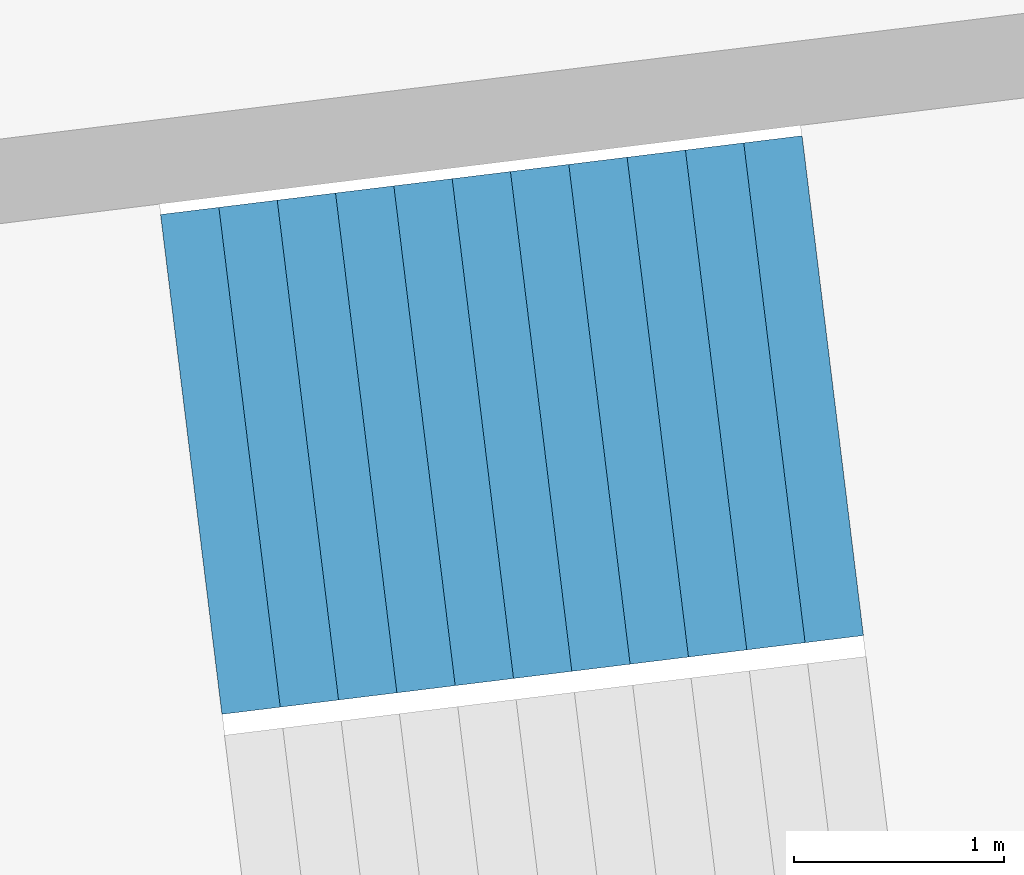
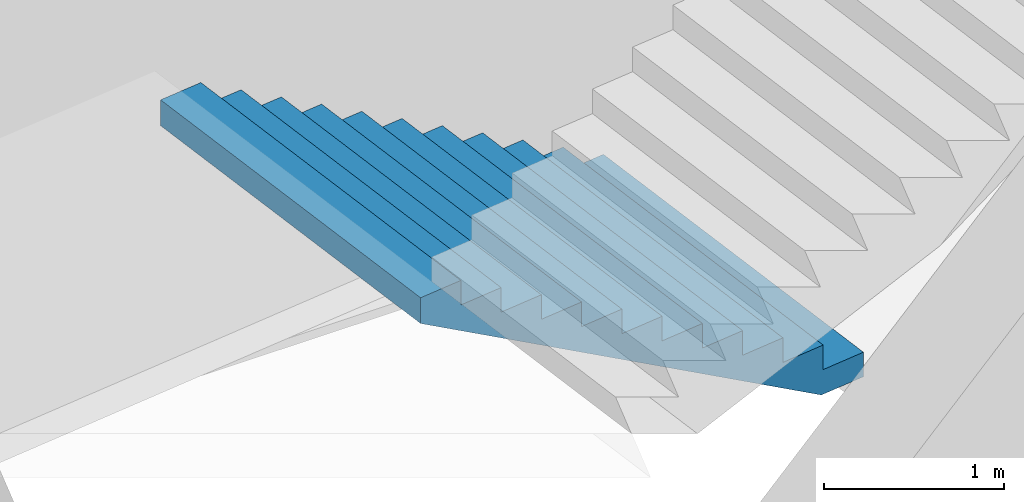
# One storey, part 24 of 74: 1 stair flight, 1 element without a shape of its own.
"""IFC4 building model written with IfcOpenShell, lengths in metres."""

from ifc_helpers import new_model, si_unit, direction, frame, origin, place, context, subcontext, project, spatial, triangles, material, type_object, element, aggregate, save


model = new_model("IFC4")

# Units and contexts
model_context = context("Model", 3, precision=1e-05, world=origin(), true_north=direction((0.0, 1.0)))
body_context = subcontext(model_context, "Body", "Model", "MODEL_VIEW")
ifc_project = project(units=[si_unit("LENGTHUNIT", "METRE"), si_unit("AREAUNIT", "SQUARE_METRE"), si_unit("VOLUMEUNIT", "CUBIC_METRE"), si_unit("PLANEANGLEUNIT", "RADIAN"), si_unit("MASSUNIT", "GRAM", prefix="KILO")], contexts=[model_context])

# Site, building, storey
site_placement = place(None, origin())
site = spatial("IfcSite", under=ifc_project, at=site_placement, CompositionType="ELEMENT")
building_placement = place(site_placement, origin())
building = spatial("IfcBuilding", under=site, at=building_placement, Name="Lantaw Convention Tower", CompositionType="ELEMENT")
storey_placement = place(building_placement, frame((0.0, 0.0, 6.5)))
storey = spatial("IfcBuildingStorey", under=building, at=storey_placement, Name="L01", CompositionType="ELEMENT", Elevation=6.5)

# Stair, stair flight
ifc_material = material(Name="Concrete C35/45", Category="concrete")
stair_type = type_object("IfcStairType", Name="Exit stair 2400 riser 166.67 in 4 flights", PredefinedType="HALF_TURN_STAIR", material=ifc_material)
stair_placement = place(storey_placement, origin())
stair = element("IfcStair", 1, at=stair_placement, inside=storey, type_object=stair_type, Name="Podium exit stair P10 L01", PredefinedType="HALF_TURN_STAIR")
stair_flight_type = type_object("IfcStairFlightType", Name="Stair flight 2400 riser 166.67", PredefinedType="STRAIGHT", material=ifc_material)
stair_flight_placement = place(storey_placement, frame((-35.162109375, -3.057861328125, 0.0), z_axis=(0.0, 0.0, 1.0), x_axis=(-0.992546151641, -0.121869343405, 0.0)))
stair_flight = element("IfcStairFlight", 2, at=stair_flight_placement, type_object=stair_flight_type, Name="P10 flight 1", NumberOfRisers=12, NumberOfTreads=11, PredefinedType="STRAIGHT", RiserHeight=0.166666667, TreadLength=0.28, context=body_context, shape_type="Tessellation", body=[
    triangles([(0.0, 1.199951171875, 0.0), (0.0, 1.199951171875, 0.166666667), (0.28, 1.199951171875, 0.0), (0.28, 1.199951171875, 0.166666667), (0.28, 1.199951171875, 0.333333334), (0.29307345806906726, 1.199951171875, 0.0), (0.29307345806906726, 1.199951171875, 0.333333334), (0.56, 1.199951171875, 0.15888484670522965), (0.56, 1.199951171875, 0.333333334), (0.56, 1.199951171875, 0.500000001), (0.8400000000000001, 1.199951171875, 0.3255515137052296), (0.8400000000000001, 1.199951171875, 0.500000001), (0.8400000000000001, 1.199951171875, 0.666666668), (1.12, 1.199951171875, 0.4922181807052296), (1.12, 1.199951171875, 0.666666668), (1.12, 1.199951171875, 0.833333335), (1.4000000000000001, 1.199951171875, 0.6588848477052296), (1.4000000000000001, 1.199951171875, 0.833333335), (1.4000000000000001, 1.199951171875, 1.000000002), (1.6800000000000002, 1.199951171875, 0.8255515147052296), (1.6800000000000002, 1.199951171875, 1.000000002), (1.6800000000000002, 1.199951171875, 1.166666669), (1.9600000000000002, 1.199951171875, 0.9922181817052296), (1.9600000000000002, 1.199951171875, 1.166666669), (1.9600000000000002, 1.199951171875, 1.333333336), (2.24, 1.199951171875, 1.1588848487052295), (2.24, 1.199951171875, 1.333333336), (2.24, 1.199951171875, 1.5000000029999998), (2.5200000000000005, 1.199951171875, 1.3255515157052296), (2.5200000000000005, 1.199951171875, 1.5000000029999998), (2.5200000000000005, 1.199951171875, 1.66666667), (2.8000000000000003, 1.199951171875, 1.4922181827052294), (2.8000000000000003, 1.199951171875, 1.66666667), (2.8000000000000003, 1.199951171875, 1.833333337), (3.08, 1.199951171875, 1.6588848497052293), (3.08, 1.199951171875, 1.833333337), (0.0, -1.199951171875, 0.0), (0.0, -1.199951171875, 0.166666667), (0.28, -1.199951171875, 0.0), (0.28, -1.199951171875, 0.166666667), (0.28, -1.199951171875, 0.333333334), (0.29307345806906726, -1.199951171875, 0.0), (0.29307345806906726, -1.199951171875, 0.333333334), (0.56, -1.199951171875, 0.15888484670522965), (0.56, -1.199951171875, 0.333333334), (0.56, -1.199951171875, 0.500000001), (0.8400000000000001, -1.199951171875, 0.3255515137052296), (0.8400000000000001, -1.199951171875, 0.500000001), (0.8400000000000001, -1.199951171875, 0.666666668), (1.12, -1.199951171875, 0.4922181807052296), (1.12, -1.199951171875, 0.666666668), (1.12, -1.199951171875, 0.833333335), (1.4000000000000001, -1.199951171875, 0.6588848477052296), (1.4000000000000001, -1.199951171875, 0.833333335), (1.4000000000000001, -1.199951171875, 1.000000002), (1.6800000000000002, -1.199951171875, 0.8255515147052296), (1.6800000000000002, -1.199951171875, 1.000000002), (1.6800000000000002, -1.199951171875, 1.166666669), (1.9600000000000002, -1.199951171875, 0.9922181817052296), (1.9600000000000002, -1.199951171875, 1.166666669), (1.9600000000000002, -1.199951171875, 1.333333336), (2.24, -1.199951171875, 1.1588848487052295), (2.24, -1.199951171875, 1.333333336), (2.24, -1.199951171875, 1.5000000029999998), (2.5200000000000005, -1.199951171875, 1.3255515157052296), (2.5200000000000005, -1.199951171875, 1.5000000029999998), (2.5200000000000005, -1.199951171875, 1.66666667), (2.8000000000000003, -1.199951171875, 1.4922181827052294), (2.8000000000000003, -1.199951171875, 1.66666667), (2.8000000000000003, -1.199951171875, 1.833333337), (3.08, -1.199951171875, 1.6588848497052293), (3.08, -1.199951171875, 1.833333337), (0.0, 0.239990234375, 0.166666667), (0.0, 0.239990234375, 0.0), (0.0, 0.1199951171875, 0.166666667), (0.0, 0.1199951171875, 0.0), (0.0, 0.0, 0.166666667), (0.0, 0.0, 0.0), (0.0, -0.1199951171875, 0.166666667), (0.0, -0.1199951171875, 0.0), (0.0, -0.239990234375, 0.166666667), (0.0, -0.239990234375, 0.0), (0.28, 0.239990234375, 0.333333334), (0.28, 0.239990234375, 0.166666667), (0.28, 0.1199951171875, 0.333333334), (0.28, 0.1199951171875, 0.166666667), (0.28, 0.0, 0.333333334), (0.28, 0.0, 0.166666667), (0.28, -0.1199951171875, 0.333333334), (0.28, -0.1199951171875, 0.166666667), (0.28, -0.239990234375, 0.333333334), (0.28, -0.239990234375, 0.166666667), (0.56, 0.239990234375, 0.500000001), (0.56, 0.239990234375, 0.333333334), (0.56, 0.1199951171875, 0.500000001), (0.56, 0.1199951171875, 0.333333334), (0.56, 0.0, 0.500000001), (0.56, 0.0, 0.333333334), (0.56, -0.1199951171875, 0.500000001), (0.56, -0.1199951171875, 0.333333334), (0.56, -0.239990234375, 0.500000001), (0.56, -0.239990234375, 0.333333334), (0.8400000000000001, 0.239990234375, 0.666666668), (0.8400000000000001, 0.239990234375, 0.500000001), (0.8400000000000001, 0.1199951171875, 0.666666668), (0.8400000000000001, 0.1199951171875, 0.500000001), (0.8400000000000001, 0.0, 0.666666668), (0.8400000000000001, 0.0, 0.500000001), (0.8400000000000001, -0.1199951171875, 0.666666668), (0.8400000000000001, -0.1199951171875, 0.500000001), (0.8400000000000001, -0.239990234375, 0.666666668), (0.8400000000000001, -0.239990234375, 0.500000001), (1.12, 0.239990234375, 0.833333335), (1.12, 0.239990234375, 0.666666668), (1.12, 0.1199951171875, 0.833333335), (1.12, 0.1199951171875, 0.666666668), (1.12, 0.0, 0.833333335), (1.12, 0.0, 0.666666668), (1.12, -0.1199951171875, 0.833333335), (1.12, -0.1199951171875, 0.666666668), (1.12, -0.239990234375, 0.833333335), (1.12, -0.239990234375, 0.666666668), (1.4000000000000001, 0.239990234375, 1.000000002), (1.4000000000000001, 0.239990234375, 0.833333335), (1.4000000000000001, 0.1199951171875, 1.000000002), (1.4000000000000001, 0.1199951171875, 0.833333335), (1.4000000000000001, 0.0, 1.000000002), (1.4000000000000001, 0.0, 0.833333335), (1.4000000000000001, -0.1199951171875, 1.000000002), (1.4000000000000001, -0.1199951171875, 0.833333335), (1.4000000000000001, -0.239990234375, 1.000000002), (1.4000000000000001, -0.239990234375, 0.833333335), (1.6800000000000002, 0.239990234375, 1.166666669), (1.6800000000000002, 0.239990234375, 1.000000002), (1.6800000000000002, 0.1199951171875, 1.166666669), (1.6800000000000002, 0.1199951171875, 1.000000002), (1.6800000000000002, 0.0, 1.166666669), (1.6800000000000002, 0.0, 1.000000002), (1.6800000000000002, -0.1199951171875, 1.166666669), (1.6800000000000002, -0.1199951171875, 1.000000002), (1.6800000000000002, -0.239990234375, 1.166666669), (1.6800000000000002, -0.239990234375, 1.000000002), (1.9600000000000002, 0.239990234375, 1.333333336), (1.9600000000000002, 0.239990234375, 1.166666669), (1.9600000000000002, 0.1199951171875, 1.333333336), (1.9600000000000002, 0.1199951171875, 1.166666669), (1.9600000000000002, 0.0, 1.333333336), (1.9600000000000002, 0.0, 1.166666669), (1.9600000000000002, -0.1199951171875, 1.333333336), (1.9600000000000002, -0.1199951171875, 1.166666669), (1.9600000000000002, -0.239990234375, 1.333333336), (1.9600000000000002, -0.239990234375, 1.166666669), (2.24, 0.239990234375, 1.5000000029999998), (2.24, 0.239990234375, 1.333333336), (2.24, 0.1199951171875, 1.5000000029999998), (2.24, 0.1199951171875, 1.333333336), (2.24, 0.0, 1.5000000029999998), (2.24, 0.0, 1.333333336), (2.24, -0.1199951171875, 1.5000000029999998), (2.24, -0.1199951171875, 1.333333336), (2.24, -0.239990234375, 1.5000000029999998), (2.24, -0.239990234375, 1.333333336), (2.5200000000000005, 0.239990234375, 1.66666667), (2.5200000000000005, 0.239990234375, 1.5000000029999998), (2.5200000000000005, 0.1199951171875, 1.66666667), (2.5200000000000005, 0.1199951171875, 1.5000000029999998), (2.5200000000000005, 0.0, 1.66666667), (2.5200000000000005, 0.0, 1.5000000029999998), (2.5200000000000005, -0.1199951171875, 1.66666667), (2.5200000000000005, -0.1199951171875, 1.5000000029999998), (2.5200000000000005, -0.239990234375, 1.66666667), (2.5200000000000005, -0.239990234375, 1.5000000029999998), (2.8000000000000003, 0.239990234375, 1.833333337), (2.8000000000000003, 0.239990234375, 1.66666667), (2.8000000000000003, 0.1199951171875, 1.833333337), (2.8000000000000003, 0.1199951171875, 1.66666667), (2.8000000000000003, 0.0, 1.833333337), (2.8000000000000003, 0.0, 1.66666667), (2.8000000000000003, -0.1199951171875, 1.833333337), (2.8000000000000003, -0.1199951171875, 1.66666667), (2.8000000000000003, -0.239990234375, 1.833333337), (2.8000000000000003, -0.239990234375, 1.66666667), (0.29307345806906726, 0.239990234375, 0.333333334), (0.29307345806906726, 0.1199951171875, 0.333333334), (0.29307345806906726, 0.0, 0.333333334), (0.29307345806906726, -0.1199951171875, 0.333333334), (0.29307345806906726, -0.239990234375, 0.333333334), (3.08, 0.239990234375, 1.833333337), (3.08, 0.1199951171875, 1.833333337), (3.08, 0.0, 1.833333337), (3.08, -0.1199951171875, 1.833333337), (3.08, -0.239990234375, 1.833333337), (3.08, 0.239990234375, 1.6588848497052293), (3.08, 0.1199951171875, 1.6588848497052293), (3.08, 0.0, 1.6588848497052293), (3.08, -0.1199951171875, 1.6588848497052293), (3.08, -0.239990234375, 1.6588848497052293), (2.8000000000000003, 0.239990234375, 1.4922181827052294), (2.8000000000000003, 0.1199951171875, 1.4922181827052294), (2.8000000000000003, 0.0, 1.4922181827052294), (2.8000000000000003, -0.1199951171875, 1.4922181827052294), (2.8000000000000003, -0.239990234375, 1.4922181827052294), (2.5200000000000005, 0.239990234375, 1.3255515157052296), (2.5200000000000005, 0.1199951171875, 1.3255515157052296), (2.5200000000000005, 0.0, 1.3255515157052296), (2.5200000000000005, -0.1199951171875, 1.3255515157052296), (2.5200000000000005, -0.239990234375, 1.3255515157052296), (2.24, 0.239990234375, 1.1588848487052295), (2.24, 0.1199951171875, 1.1588848487052295), (2.24, 0.0, 1.1588848487052295), (2.24, -0.1199951171875, 1.1588848487052295), (2.24, -0.239990234375, 1.1588848487052295), (1.9600000000000002, 0.239990234375, 0.9922181817052296), (1.9600000000000002, 0.1199951171875, 0.9922181817052296), (1.9600000000000002, 0.0, 0.9922181817052296), (1.9600000000000002, -0.1199951171875, 0.9922181817052296), (1.9600000000000002, -0.239990234375, 0.9922181817052296), (1.6800000000000002, 0.239990234375, 0.8255515147052296), (1.6800000000000002, 0.1199951171875, 0.8255515147052296), (1.6800000000000002, 0.0, 0.8255515147052296), (1.6800000000000002, -0.1199951171875, 0.8255515147052296), (1.6800000000000002, -0.239990234375, 0.8255515147052296), (1.4000000000000001, 0.239990234375, 0.6588848477052296), (1.4000000000000001, 0.1199951171875, 0.6588848477052296), (1.4000000000000001, 0.0, 0.6588848477052296), (1.4000000000000001, -0.1199951171875, 0.6588848477052296), (1.4000000000000001, -0.239990234375, 0.6588848477052296), (1.12, 0.239990234375, 0.4922181807052296), (1.12, 0.1199951171875, 0.4922181807052296), (1.12, 0.0, 0.4922181807052296), (1.12, -0.1199951171875, 0.4922181807052296), (1.12, -0.239990234375, 0.4922181807052296), (0.8400000000000001, 0.239990234375, 0.3255515137052296), (0.8400000000000001, 0.1199951171875, 0.3255515137052296), (0.8400000000000001, 0.0, 0.3255515137052296), (0.8400000000000001, -0.1199951171875, 0.3255515137052296), (0.8400000000000001, -0.239990234375, 0.3255515137052296), (0.56, 0.239990234375, 0.15888484670522965), (0.56, 0.1199951171875, 0.15888484670522965), (0.56, 0.0, 0.15888484670522965), (0.56, -0.1199951171875, 0.15888484670522965), (0.56, -0.239990234375, 0.15888484670522965), (0.29307345806906726, 0.239990234375, 0.0), (0.29307345806906726, 0.1199951171875, 0.0), (0.29307345806906726, 0.0, 0.0), (0.29307345806906726, -0.1199951171875, 0.0), (0.29307345806906726, -0.239990234375, 0.0), (0.28, 0.239990234375, 0.0), (0.28, 0.1199951171875, 0.0), (0.28, 0.0, 0.0), (0.28, -0.1199951171875, 0.0), (0.28, -0.239990234375, 0.0)], [[1, 4, 3], [1, 2, 4], [3, 4, 6], [4, 7, 6], [4, 5, 7], [6, 9, 8], [6, 7, 9], [8, 9, 11], [9, 12, 11], [9, 10, 12], [11, 12, 14], [12, 15, 14], [12, 13, 15], [14, 15, 17], [15, 18, 17], [15, 16, 18], [17, 18, 20], [18, 21, 20], [18, 19, 21], [20, 21, 23], [21, 24, 23], [21, 22, 24], [23, 24, 26], [24, 27, 26], [24, 25, 27], [26, 27, 29], [27, 30, 29], [27, 28, 30], [29, 30, 32], [30, 33, 32], [30, 31, 33], [32, 33, 35], [33, 36, 35], [33, 34, 36], [37, 39, 40], [37, 40, 38], [39, 42, 40], [40, 42, 43], [40, 43, 41], [42, 44, 45], [42, 45, 43], [44, 47, 45], [45, 47, 48], [45, 48, 46], [47, 50, 48], [48, 50, 51], [48, 51, 49], [50, 53, 51], [51, 53, 54], [51, 54, 52], [53, 56, 54], [54, 56, 57], [54, 57, 55], [56, 59, 57], [57, 59, 60], [57, 60, 58], [59, 62, 60], [60, 62, 63], [60, 63, 61], [62, 65, 63], [63, 65, 66], [63, 66, 64], [65, 68, 66], [66, 68, 69], [66, 69, 67], [68, 71, 69], [69, 71, 72], [69, 72, 70], [1, 73, 2], [1, 74, 73], [74, 75, 73], [74, 76, 75], [76, 77, 75], [76, 78, 77], [78, 79, 77], [78, 80, 79], [80, 81, 79], [80, 82, 81], [82, 38, 81], [82, 37, 38], [4, 83, 5], [4, 84, 83], [84, 85, 83], [84, 86, 85], [86, 87, 85], [86, 88, 87], [88, 89, 87], [88, 90, 89], [90, 91, 89], [90, 92, 91], [92, 41, 91], [92, 40, 41], [9, 93, 10], [9, 94, 93], [94, 95, 93], [94, 96, 95], [96, 97, 95], [96, 98, 97], [98, 99, 97], [98, 100, 99], [100, 101, 99], [100, 102, 101], [102, 46, 101], [102, 45, 46], [12, 103, 13], [12, 104, 103], [104, 105, 103], [104, 106, 105], [106, 107, 105], [106, 108, 107], [108, 109, 107], [108, 110, 109], [110, 111, 109], [110, 112, 111], [112, 49, 111], [112, 48, 49], [15, 113, 16], [15, 114, 113], [114, 115, 113], [114, 116, 115], [116, 117, 115], [116, 118, 117], [118, 119, 117], [118, 120, 119], [120, 121, 119], [120, 122, 121], [122, 52, 121], [122, 51, 52], [18, 123, 19], [18, 124, 123], [124, 125, 123], [124, 126, 125], [126, 127, 125], [126, 128, 127], [128, 129, 127], [128, 130, 129], [130, 131, 129], [130, 132, 131], [132, 55, 131], [132, 54, 55], [21, 133, 22], [21, 134, 133], [134, 135, 133], [134, 136, 135], [136, 137, 135], [136, 138, 137], [138, 139, 137], [138, 140, 139], [140, 141, 139], [140, 142, 141], [142, 58, 141], [142, 57, 58], [24, 143, 25], [24, 144, 143], [144, 145, 143], [144, 146, 145], [146, 147, 145], [146, 148, 147], [148, 149, 147], [148, 150, 149], [150, 151, 149], [150, 152, 151], [152, 61, 151], [152, 60, 61], [27, 153, 28], [27, 154, 153], [154, 155, 153], [154, 156, 155], [156, 157, 155], [156, 158, 157], [158, 159, 157], [158, 160, 159], [160, 161, 159], [160, 162, 161], [162, 64, 161], [162, 63, 64], [30, 163, 31], [30, 164, 163], [164, 165, 163], [164, 166, 165], [166, 167, 165], [166, 168, 167], [168, 169, 167], [168, 170, 169], [170, 171, 169], [170, 172, 171], [172, 67, 171], [172, 66, 67], [33, 173, 34], [33, 174, 173], [174, 175, 173], [174, 176, 175], [176, 177, 175], [176, 178, 177], [178, 179, 177], [178, 180, 179], [180, 181, 179], [180, 182, 181], [182, 70, 181], [182, 69, 70], [2, 84, 4], [2, 73, 84], [73, 86, 84], [73, 75, 86], [75, 88, 86], [75, 77, 88], [77, 90, 88], [77, 79, 90], [79, 92, 90], [79, 81, 92], [81, 40, 92], [81, 38, 40], [5, 183, 7], [5, 83, 183], [83, 184, 183], [83, 85, 184], [85, 185, 184], [85, 87, 185], [87, 186, 185], [87, 89, 186], [89, 187, 186], [89, 91, 187], [91, 43, 187], [91, 41, 43], [7, 94, 9], [7, 183, 94], [183, 96, 94], [183, 184, 96], [184, 98, 96], [184, 185, 98], [185, 100, 98], [185, 186, 100], [186, 102, 100], [186, 187, 102], [187, 45, 102], [187, 43, 45], [10, 104, 12], [10, 93, 104], [93, 106, 104], [93, 95, 106], [95, 108, 106], [95, 97, 108], [97, 110, 108], [97, 99, 110], [99, 112, 110], [99, 101, 112], [101, 48, 112], [101, 46, 48], [13, 114, 15], [13, 103, 114], [103, 116, 114], [103, 105, 116], [105, 118, 116], [105, 107, 118], [107, 120, 118], [107, 109, 120], [109, 122, 120], [109, 111, 122], [111, 51, 122], [111, 49, 51], [16, 124, 18], [16, 113, 124], [113, 126, 124], [113, 115, 126], [115, 128, 126], [115, 117, 128], [117, 130, 128], [117, 119, 130], [119, 132, 130], [119, 121, 132], [121, 54, 132], [121, 52, 54], [19, 134, 21], [19, 123, 134], [123, 136, 134], [123, 125, 136], [125, 138, 136], [125, 127, 138], [127, 140, 138], [127, 129, 140], [129, 142, 140], [129, 131, 142], [131, 57, 142], [131, 55, 57], [22, 144, 24], [22, 133, 144], [133, 146, 144], [133, 135, 146], [135, 148, 146], [135, 137, 148], [137, 150, 148], [137, 139, 150], [139, 152, 150], [139, 141, 152], [141, 60, 152], [141, 58, 60], [25, 154, 27], [25, 143, 154], [143, 156, 154], [143, 145, 156], [145, 158, 156], [145, 147, 158], [147, 160, 158], [147, 149, 160], [149, 162, 160], [149, 151, 162], [151, 63, 162], [151, 61, 63], [28, 164, 30], [28, 153, 164], [153, 166, 164], [153, 155, 166], [155, 168, 166], [155, 157, 168], [157, 170, 168], [157, 159, 170], [159, 172, 170], [159, 161, 172], [161, 66, 172], [161, 64, 66], [31, 174, 33], [31, 163, 174], [163, 176, 174], [163, 165, 176], [165, 178, 176], [165, 167, 178], [167, 180, 178], [167, 169, 180], [169, 182, 180], [169, 171, 182], [171, 69, 182], [171, 67, 69], [34, 188, 36], [34, 173, 188], [173, 189, 188], [173, 175, 189], [175, 190, 189], [175, 177, 190], [177, 191, 190], [177, 179, 191], [179, 192, 191], [179, 181, 192], [181, 72, 192], [181, 70, 72], [36, 193, 35], [36, 188, 193], [188, 194, 193], [188, 189, 194], [189, 195, 194], [189, 190, 195], [190, 196, 195], [190, 191, 196], [191, 197, 196], [191, 192, 197], [192, 71, 197], [192, 72, 71], [35, 198, 32], [35, 193, 198], [193, 199, 198], [193, 194, 199], [194, 200, 199], [194, 195, 200], [195, 201, 200], [195, 196, 201], [196, 202, 201], [196, 197, 202], [197, 68, 202], [197, 71, 68], [32, 203, 29], [32, 198, 203], [198, 204, 203], [198, 199, 204], [199, 205, 204], [199, 200, 205], [200, 206, 205], [200, 201, 206], [201, 207, 206], [201, 202, 207], [202, 65, 207], [202, 68, 65], [29, 208, 26], [29, 203, 208], [203, 209, 208], [203, 204, 209], [204, 210, 209], [204, 205, 210], [205, 211, 210], [205, 206, 211], [206, 212, 211], [206, 207, 212], [207, 62, 212], [207, 65, 62], [26, 213, 23], [26, 208, 213], [208, 214, 213], [208, 209, 214], [209, 215, 214], [209, 210, 215], [210, 216, 215], [210, 211, 216], [211, 217, 216], [211, 212, 217], [212, 59, 217], [212, 62, 59], [23, 218, 20], [23, 213, 218], [213, 219, 218], [213, 214, 219], [214, 220, 219], [214, 215, 220], [215, 221, 220], [215, 216, 221], [216, 222, 221], [216, 217, 222], [217, 56, 222], [217, 59, 56], [20, 223, 17], [20, 218, 223], [218, 224, 223], [218, 219, 224], [219, 225, 224], [219, 220, 225], [220, 226, 225], [220, 221, 226], [221, 227, 226], [221, 222, 227], [222, 53, 227], [222, 56, 53], [17, 228, 14], [17, 223, 228], [223, 229, 228], [223, 224, 229], [224, 230, 229], [224, 225, 230], [225, 231, 230], [225, 226, 231], [226, 232, 231], [226, 227, 232], [227, 50, 232], [227, 53, 50], [14, 233, 11], [14, 228, 233], [228, 234, 233], [228, 229, 234], [229, 235, 234], [229, 230, 235], [230, 236, 235], [230, 231, 236], [231, 237, 236], [231, 232, 237], [232, 47, 237], [232, 50, 47], [11, 238, 8], [11, 233, 238], [233, 239, 238], [233, 234, 239], [234, 240, 239], [234, 235, 240], [235, 241, 240], [235, 236, 241], [236, 242, 241], [236, 237, 242], [237, 44, 242], [237, 47, 44], [8, 243, 6], [8, 238, 243], [238, 244, 243], [238, 239, 244], [239, 245, 244], [239, 240, 245], [240, 246, 245], [240, 241, 246], [241, 247, 246], [241, 242, 247], [242, 42, 247], [242, 44, 42], [6, 248, 3], [6, 243, 248], [243, 249, 248], [243, 244, 249], [244, 250, 249], [244, 245, 250], [245, 251, 250], [245, 246, 251], [246, 252, 251], [246, 247, 252], [247, 39, 252], [247, 42, 39], [3, 74, 1], [3, 248, 74], [248, 76, 74], [248, 249, 76], [249, 78, 76], [249, 250, 78], [250, 80, 78], [250, 251, 80], [251, 82, 80], [251, 252, 82], [252, 37, 82], [252, 39, 37]], closed=True),
])
aggregate(stair, [stair_flight])

save(model, "model.ifc")
